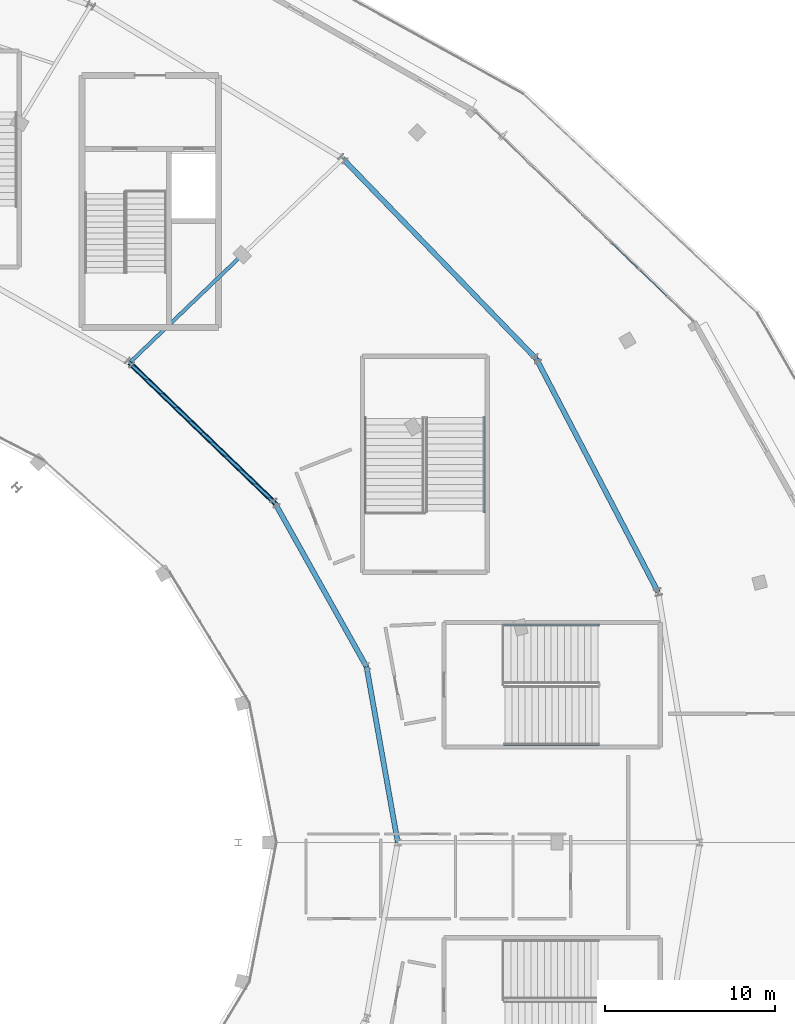
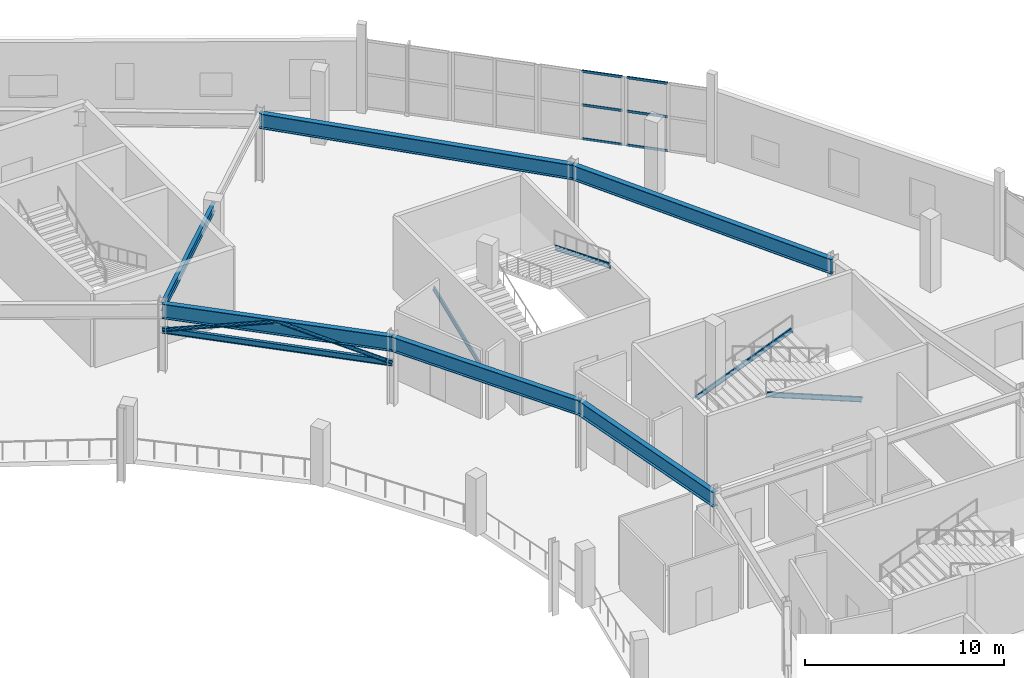
# One storey, part 65 of 123: 12 members, 7 beams, 2 elements without a shape of their own.
"""IFC4 building model written with IfcOpenShell, lengths in metres."""

from ifc_helpers import new_model, si_unit, direction, frame, origin, origin_2d, place, context, subcontext, project, spatial, hollow_rectangle, hollow_circle, i_section, extrude, material, layer, layer_set, material_profile, profile_set, type_object, element, aggregate, save


model = new_model("IFC4")

# Units and contexts
model_context = context("Model", 3, precision=1e-05, world=origin(), true_north=direction((0.0, 1.0)))
body_context = subcontext(model_context, "Body", "Model", "MODEL_VIEW")
ifc_project = project(units=[si_unit("LENGTHUNIT", "METRE"), si_unit("AREAUNIT", "SQUARE_METRE"), si_unit("VOLUMEUNIT", "CUBIC_METRE"), si_unit("PLANEANGLEUNIT", "RADIAN"), si_unit("MASSUNIT", "GRAM", prefix="KILO")], contexts=[model_context])

# Site, building, storey
site_placement = place(None, origin())
site = spatial("IfcSite", under=ifc_project, at=site_placement, CompositionType="ELEMENT")
building_placement = place(site_placement, origin())
building = spatial("IfcBuilding", under=site, at=building_placement, Name="Kalgoora Escarpment Arena", CompositionType="ELEMENT")
storey_placement = place(building_placement, frame((0.0, 0.0, 9.89990234375)))
storey = spatial("IfcBuildingStorey", under=building, at=storey_placement, Name="L02", CompositionType="ELEMENT", Elevation=9.89990234375)

# Beams
ifc_material_1 = material(Name="Structural steel AS/NZS 3679 (300 MPa)", Category="steel")
ifc_material_profile_1 = material_profile(ifc_material_1, i_section(OverallWidth=0.1708984375, OverallDepth=0.35205078125, WebThickness=0.0068359375, FlangeThickness=0.009765625, at=origin_2d()))
ifc_profile_set_1 = profile_set([ifc_material_profile_1], Name="Structural steel AS/NZS 3679 (300 MPa)")
beam_type_1 = type_object("IfcBeamType", Name="BM-BEAM-360UB44.7", PredefinedType="BEAM", material=ifc_profile_set_1)
beam_1_placement = place(storey_placement, frame((139.165283203125, 84.0, 2.524169921875), z_axis=(-0.719462119733, 0.694531682696, 0.0), x_axis=(-0.694531682696, -0.719462119733, 0.0)))
element("IfcBeam", 1, at=beam_1_placement, inside=storey, type_object=beam_type_1, Name="L02 Portal brace collector beam 360UB44.7", PredefinedType="BEAM", context=body_context, shape_type="SweptSolid", body=[
    extrude(i_section(OverallWidth=0.1708984375, OverallDepth=0.35205078125, WebThickness=0.0068359375, FlangeThickness=0.009765625, at=origin_2d()), origin(), (0.0, 0.0, 1.0), 11.927734375),
])
ifc_material_2 = material(Name="Structural steel AS/NZS 3679 (300 MPa)", Category="steel")
ifc_material_profile_2 = material_profile(ifc_material_2, i_section(OverallWidth=0.208984375, OverallDepth=0.528076171875, WebThickness=0.009521484375, FlangeThickness=0.01318359375, at=origin_2d()))
ifc_profile_set_2 = profile_set([ifc_material_profile_2], Name="Structural steel AS/NZS 3679 (300 MPa)")
beam_type_2 = type_object("IfcBeamType", Name="BM-GIRDER-530UB82.0", PredefinedType="USERDEFINED", material=ifc_profile_set_2)
beam_2_placement = place(storey_placement, frame((130.583740234375, 92.2841796875, 3.93603515625), z_axis=(0.722313931554, 0.691565314546, 0.0), x_axis=(-0.691565314546, 0.722313931554, 0.0)))
element("IfcBeam", 2, at=beam_2_placement, inside=storey, type_object=beam_type_2, Name="L02 Radial concourse girder 530UB82.0", ObjectType="GIRDER", PredefinedType="USERDEFINED", context=body_context, shape_type="SweptSolid", body=[
    extrude(i_section(OverallWidth=0.208984375, OverallDepth=0.528076171875, WebThickness=0.009521484375, FlangeThickness=0.01318359375, at=origin_2d()), origin(), (0.0, 0.0, 1.0), 9.202392578125),
])
ifc_material_3 = material(Name="Structural steel Grade 350 (350 MPa)", Category="steel")
ifc_material_profile_3 = material_profile(ifc_material_3, i_section(OverallWidth=0.300048828125, OverallDepth=0.909912109375, WebThickness=0.011962890625, FlangeThickness=0.028076171875, at=origin_2d()))
ifc_profile_set_3 = profile_set([ifc_material_profile_3], Name="Structural steel Grade 350 (350 MPa)")
beam_type_3 = type_object("IfcBeamType", Name="BM-GIRDER-900WB218", PredefinedType="USERDEFINED", material=ifc_profile_set_3)
beam_3_placement = place(storey_placement, frame((146.39990234375, 64.0, 3.72509765625), z_axis=(-0.174973315738, 0.984573175939, 0.0), x_axis=(-0.984573175939, -0.174973315738, 0.0)))
element("IfcBeam", 3, at=beam_3_placement, inside=storey, type_object=beam_type_3, Name="L02 Circumferential concourse girder RMAIN 900WB218", ObjectType="GIRDER", PredefinedType="USERDEFINED", context=body_context, shape_type="SweptSolid", body=[
    extrude(i_section(OverallWidth=0.300048828125, OverallDepth=0.909912109375, WebThickness=0.011962890625, FlangeThickness=0.028076171875, at=origin_2d()), origin(), (0.0, 0.0, 1.0), 10.514892578125),
])
beam_4_placement = place(storey_placement, frame((144.56005859375, 74.352783203125, 3.7451171875), z_axis=(-0.488075296374, 0.872801526734, 0.0), x_axis=(-0.872801526734, -0.488075296374, 0.0)))
element("IfcBeam", 4, at=beam_4_placement, inside=storey, type_object=beam_type_3, Name="L02 Circumferential concourse girder RMAIN 900WB218", ObjectType="GIRDER", PredefinedType="USERDEFINED", context=body_context, shape_type="SweptSolid", body=[
    extrude(i_section(OverallWidth=0.300048828125, OverallDepth=0.909912109375, WebThickness=0.011962890625, FlangeThickness=0.028076171875, at=origin_2d()), origin(), (0.0, 0.0, 1.0), 11.05322265625),
])
beam_5_placement = place(storey_placement, frame((139.165283203125, 84.0, 3.7451171875), z_axis=(-0.719462119733, 0.694531682696, 0.0), x_axis=(-0.694531682696, -0.719462119733, 0.0)))
element("IfcBeam", 5, at=beam_5_placement, inside=storey, type_object=beam_type_3, Name="L02 Circumferential concourse girder RMAIN 900WB218", ObjectType="GIRDER", PredefinedType="USERDEFINED", context=body_context, shape_type="SweptSolid", body=[
    extrude(i_section(OverallWidth=0.300048828125, OverallDepth=0.909912109375, WebThickness=0.011962890625, FlangeThickness=0.028076171875, at=origin_2d()), origin(), (0.0, 0.0, 1.0), 11.927734375),
])
ifc_material_4 = material(Name="Structural steel Grade 350 (350 MPa)", Category="steel")
ifc_material_profile_4 = material_profile(ifc_material_4, i_section(OverallWidth=0.300048828125, OverallDepth=0.909912109375, WebThickness=0.011962890625, FlangeThickness=0.028076171875, at=origin_2d()))
ifc_profile_set_4 = profile_set([ifc_material_profile_4], Name="Structural steel Grade 350 (350 MPa)")
beam_type_4 = type_object("IfcBeamType", Name="BM-SPANDREL-900WB218", PredefinedType="SPANDREL", material=ifc_profile_set_4)
beam_6_placement = place(storey_placement, frame((161.75341796875, 78.752685546875, 3.7451171875), z_axis=(-0.462583225327, 0.886575862319, 0.0), x_axis=(-0.886575862319, -0.462583225327, 0.0)))
element("IfcBeam", 6, at=beam_6_placement, inside=storey, type_object=beam_type_4, Name="L02 Circumferential concourse girder RCONC2 900WB218", PredefinedType="SPANDREL", context=body_context, shape_type="SweptSolid", body=[
    extrude(i_section(OverallWidth=0.300048828125, OverallDepth=0.909912109375, WebThickness=0.011962890625, FlangeThickness=0.028076171875, at=origin_2d()), origin(), (0.0, 0.0, 1.0), 15.506103515625),
])
beam_7_placement = place(storey_placement, frame((154.58056640625, 92.5, 3.7451171875), z_axis=(-0.694974435465, 0.719034445663, 0.0), x_axis=(-0.719034445663, -0.694974435465, 0.0)))
element("IfcBeam", 7, at=beam_7_placement, inside=storey, type_object=beam_type_4, Name="L02 Circumferential concourse girder RCONC2 900WB218", PredefinedType="SPANDREL", context=body_context, shape_type="SweptSolid", body=[
    extrude(i_section(OverallWidth=0.300048828125, OverallDepth=0.909912109375, WebThickness=0.011962890625, FlangeThickness=0.028076171875, at=origin_2d()), origin(), (0.0, 0.0, 1.0), 16.418212890625),
])

# Members
ifc_material_5 = material(Name="Structural steel C350 (350 MPa)", Category="steel")
ifc_material_profile_5 = material_profile(ifc_material_5, hollow_circle(Radius=0.109619140625, WallThickness=0.00830078125, at=origin_2d()))
ifc_profile_set_5 = profile_set([ifc_material_profile_5], Name="Structural steel C350 (350 MPa)")
member_type_1 = type_object("IfcMemberType", Name="MEM-BRACE-CHS219", PredefinedType="BRACE", material=ifc_profile_set_5)
for number, where, z_axis, x_axis, name in (
    (8, (139.165283203125, 84.0, 2.52001953125), (-0.696893494727, 0.672745094255, 0.248502505346), (-0.694531682696, -0.719462119733, 0.0), "L02 concentric lateral brace R03-1"),
    (9, (130.583740234375, 92.2841796875, 2.52001953125), (0.696893494727, -0.672745094255, 0.248502505346), (0.694531682696, 0.719462119733, 0.0), "L02 concentric lateral brace R03-2"),
):
    element("IfcMember", number, at=place(storey_placement, frame(where, z_axis=z_axis, x_axis=x_axis)), inside=storey, type_object=member_type_1, Name=name, PredefinedType="BRACE", context=body_context, shape_type="SweptSolid", body=[
        extrude(hollow_circle(Radius=0.109619140625, WallThickness=0.00830078125, at=origin_2d()), origin(), (0.0, 0.0, 1.0), 6.156982421875),
    ])

# Curtain wall, members
ifc_material_6 = material(Name=" Champagne anodised aluminium & double-glazed low-E", Category="aluminium")
ifc_layer_1 = layer(ifc_material_6, 0.154052734375)
ifc_layer_set_1 = layer_set([ifc_layer_1], Name="CW-UNIT-06")
curtain_wall_type_1 = type_object("IfcCurtainWallType", Name="CW-UNIT-06", PredefinedType="NOTDEFINED", material=ifc_layer_set_1)
curtain_wall_1_placement = place(storey_placement, origin())
curtain_wall_1 = element("IfcCurtainWall", 10, at=curtain_wall_1_placement, inside=storey, type_object=curtain_wall_type_1, Name="L02 unitised facade curtain wall 085", PredefinedType="NOTDEFINED")
ifc_material_7 = material(Name="Anodised aluminium 6063-T6", Category="aluminium")
ifc_material_profile_6 = material_profile(ifc_material_7, hollow_rectangle(XDim=0.06005859375, YDim=0.14990234375, WallThickness=0.00341796875, at=origin_2d()))
ifc_profile_set_6 = profile_set([ifc_material_profile_6], Name="Anodised aluminium 6063-T6")
member_type_2 = type_object("IfcMemberType", Name="MEM-CW-TRAN-150", PredefinedType="USERDEFINED", material=ifc_profile_set_6)
member_1_placement = place(storey_placement, frame((159.027587890625, 99.325927734375, 0.050048828125), z_axis=(0.720240579013, -0.693724374909, 0.0), x_axis=(0.693724374909, 0.720240579013, 0.0)))
member_1 = element("IfcMember", 11, at=member_1_placement, type_object=member_type_2, Name="CW-06 transom 2.1", ObjectType="TRANSOM", PredefinedType="USERDEFINED", context=body_context, shape_type="SweptSolid", body=[
    extrude(hollow_rectangle(XDim=0.06005859375, YDim=0.14990234375, WallThickness=0.00341796875, at=origin_2d()), origin(), (0.0, 0.0, 1.0), 2.099365234375),
])
member_2_placement = place(storey_placement, frame((159.027587890625, 99.325927734375, 2.132568359375), z_axis=(0.720240579013, -0.693724374909, 0.0), x_axis=(0.693724374909, 0.720240579013, 0.0)))
member_2 = element("IfcMember", 12, at=member_2_placement, type_object=member_type_2, Name="CW-06 transom 2.2", ObjectType="TRANSOM", PredefinedType="USERDEFINED", context=body_context, shape_type="SweptSolid", body=[
    extrude(hollow_rectangle(XDim=0.06005859375, YDim=0.14990234375, WallThickness=0.00341796875, at=origin_2d()), origin(), (0.0, 0.0, 1.0), 2.099365234375),
])
member_3_placement = place(storey_placement, frame((159.027587890625, 99.325927734375, 4.195068359375), z_axis=(0.720240579013, -0.693724374909, 0.0), x_axis=(0.693724374909, 0.720240579013, 0.0)))
member_3 = element("IfcMember", 13, at=member_3_placement, type_object=member_type_2, Name="CW-06 transom 2.3", ObjectType="TRANSOM", PredefinedType="USERDEFINED", context=body_context, shape_type="SweptSolid", body=[
    extrude(hollow_rectangle(XDim=0.06005859375, YDim=0.14990234375, WallThickness=0.00341796875, at=origin_2d()), origin(), (0.0, 0.0, 1.0), 2.099365234375),
])
aggregate(curtain_wall_1, [member_1, member_2, member_3])

ifc_material_8 = material(Name=" Champagne anodised aluminium & double-glazed low-E", Category="aluminium")
ifc_layer_2 = layer(ifc_material_8, 0.157958984375)
ifc_layer_set_2 = layer_set([ifc_layer_2], Name="CW-UNIT-07")
curtain_wall_type_2 = type_object("IfcCurtainWallType", Name="CW-UNIT-07", PredefinedType="NOTDEFINED", material=ifc_layer_set_2)
curtain_wall_2_placement = place(storey_placement, origin())
curtain_wall_2 = element("IfcCurtainWall", 14, at=curtain_wall_2_placement, inside=storey, type_object=curtain_wall_type_2, Name="L02 unitised facade curtain wall 086", PredefinedType="NOTDEFINED")
member_4_placement = place(storey_placement, frame((160.705322265625, 97.710205078125, 0.050048828125), z_axis=(0.720145765123, -0.693822799406, 0.0), x_axis=(0.693822799406, 0.720145765123, 0.0)))
member_4 = element("IfcMember", 15, at=member_4_placement, type_object=member_type_2, Name="CW-07 transom 1.1", ObjectType="TRANSOM", PredefinedType="USERDEFINED", context=body_context, shape_type="SweptSolid", body=[
    extrude(hollow_rectangle(XDim=0.06005859375, YDim=0.14990234375, WallThickness=0.00341796875, at=origin_2d()), origin(), (0.0, 0.0, 1.0), 2.1240234375),
])
member_5_placement = place(storey_placement, frame((160.705322265625, 97.710205078125, 2.132568359375), z_axis=(0.720145765123, -0.693822799406, 0.0), x_axis=(0.693822799406, 0.720145765123, 0.0)))
member_5 = element("IfcMember", 16, at=member_5_placement, type_object=member_type_2, Name="CW-07 transom 1.2", ObjectType="TRANSOM", PredefinedType="USERDEFINED", context=body_context, shape_type="SweptSolid", body=[
    extrude(hollow_rectangle(XDim=0.06005859375, YDim=0.14990234375, WallThickness=0.00341796875, at=origin_2d()), origin(), (0.0, 0.0, 1.0), 2.1240234375),
])
member_6_placement = place(storey_placement, frame((160.705322265625, 97.710205078125, 4.195068359375), z_axis=(0.720145765123, -0.693822799406, 0.0), x_axis=(0.693822799406, 0.720145765123, 0.0)))
member_6 = element("IfcMember", 17, at=member_6_placement, type_object=member_type_2, Name="CW-07 transom 1.3", ObjectType="TRANSOM", PredefinedType="USERDEFINED", context=body_context, shape_type="SweptSolid", body=[
    extrude(hollow_rectangle(XDim=0.06005859375, YDim=0.14990234375, WallThickness=0.00341796875, at=origin_2d()), origin(), (0.0, 0.0, 1.0), 2.1240234375),
])
aggregate(curtain_wall_2, [member_4, member_5, member_6])

# Members
ifc_material_9 = material(Name="Structural steel AS/NZS 3679 (300 MPa)", Category="steel")
ifc_material_profile_7 = material_profile(ifc_material_9, i_section(OverallWidth=0.090087890625, OverallDepth=0.300048828125, WebThickness=0.008056640625, FlangeThickness=0.01611328125, at=origin_2d()))
ifc_profile_set_7 = profile_set([ifc_material_profile_7], Name="Structural steel AS/NZS 3679 (300 MPa)")
member_type_3 = type_object("IfcMemberType", Name="MEM-STRINGER-PFC", PredefinedType="STRINGER", material=ifc_profile_set_7)
for number, where, z_axis, x_axis, name in (
    (18, (152.68994140625, 76.830078125, -0.039794921875), (0.926975796404, 0.0, 0.375121144273), (0.0, 1.0, 0.0), "ST21 L02 steel stair stringer 1"),
    (19, (158.25, 69.77001953125, 2.210205078125), (-0.926975796404, 0.0, 0.375121144273), (0.0, -1.0, 0.0), "ST21 L02 steel stair stringer 2"),
    (20, (144.469970703125, 83.489990234375, -0.039794921875), (0.0, 0.926975796404, 0.375121144273), (-1.0, 0.0, 0.0), "ST23 L02 steel stair stringer 1"),
    (21, (151.530029296875, 89.050048828125, 2.210205078125), (0.0, -0.926975796404, 0.375121144273), (1.0, 0.0, 0.0), "ST23 L02 steel stair stringer 2"),
):
    element("IfcMember", number, at=place(storey_placement, frame(where, z_axis=z_axis, x_axis=x_axis)), inside=storey, type_object=member_type_3, Name=name, PredefinedType="STRINGER", context=body_context, shape_type="SweptSolid", body=[
        extrude(i_section(OverallWidth=0.090087890625, OverallDepth=0.300048828125, WebThickness=0.008056640625, FlangeThickness=0.01611328125, at=origin_2d()), origin(), (0.0, 0.0, 1.0), 5.998046875),
    ])

save(model, "model.ifc")
